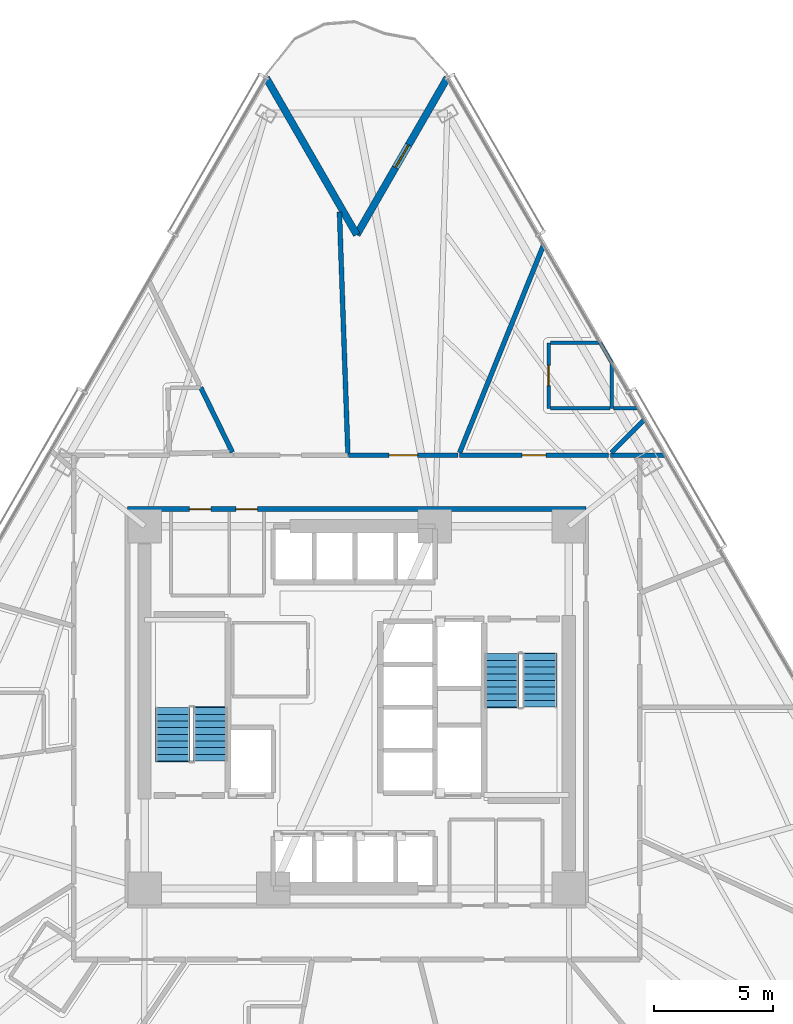
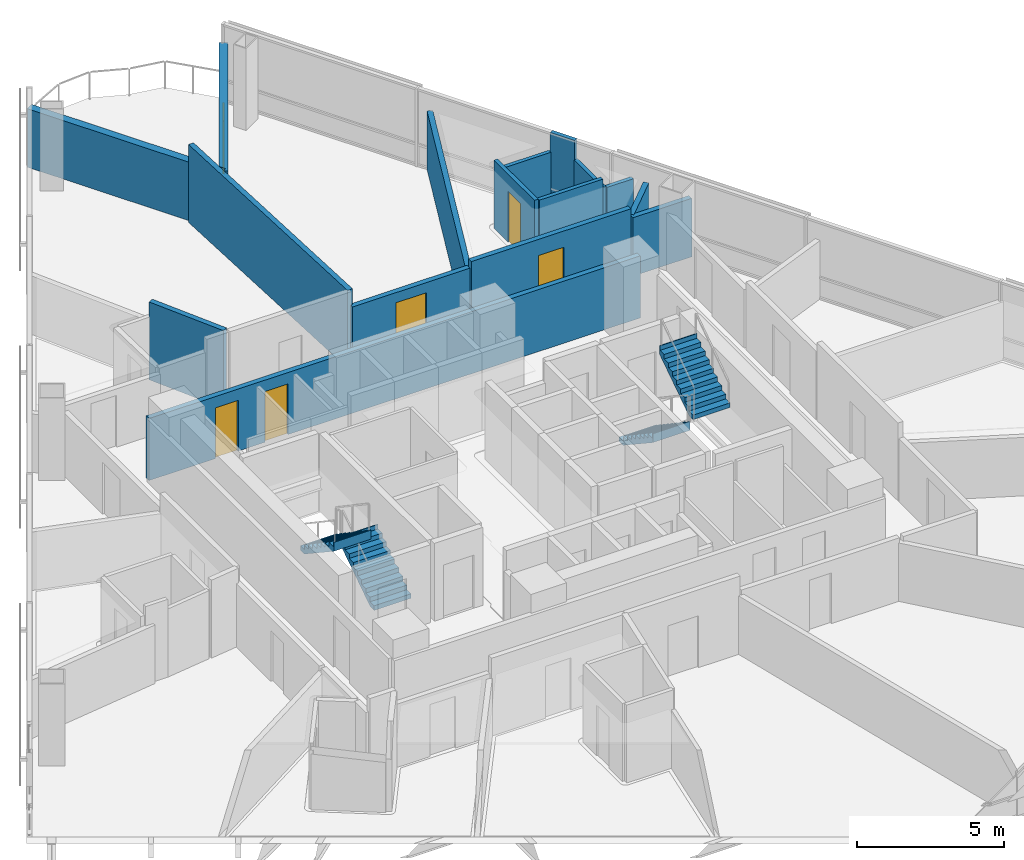
# One storey, part 10 of 16: 16 walls, 6 doors, 4 stair flights, 6 openings, 2 elements without a shape of their own.
"""IFC4 building model written with IfcOpenShell, lengths in metres."""

import ifcopenshell
import ifcopenshell.guid

model = None  # the IFC model being written
_history = None  # IfcOwnerHistory: only IFC2X3 demands one
_inside = {}  # id of a spatial element -> (the spatial element, [elements in it])
_under = {}  # id of a project, library or spatial element -> (it, [spatial elements below it])
_declared = {}  # id of a project -> (the project, [libraries it declares])
_typed = {}  # id of a type object -> (the type object, [elements of that type])
_made_of = {}  # id of a material, layer set ... -> (it, [elements and type objects made of it])


def new_model(schema):
    """Start an empty IFC model of exactly this schema.

    Asked for "IFC4X3", IfcOpenShell would pick the latest addendum, in which some entities
    have other attributes; the version numbers below select the first issue.
    IFC2X3 requires an IfcOwnerHistory on every rooted entity: one is made here for all.
    """
    global model, _history
    if schema == "IFC4X3":
        model = ifcopenshell.file(schema_version=(4, 3, 0, 0))
    else:
        model = ifcopenshell.file(schema=schema)
    _inside.clear()
    _under.clear()
    _declared.clear()
    _typed.clear()
    _made_of.clear()
    _history = None
    if model.schema == "IFC2X3":
        org = make("IfcOrganization", Name="unknown")
        user = make(
            "IfcPersonAndOrganization",
            ThePerson=make("IfcPerson", FamilyName="unknown"),
            TheOrganization=org,
        )
        app = make(
            "IfcApplication",
            ApplicationDeveloper=org,
            Version="unknown",
            ApplicationFullName="unknown",
            ApplicationIdentifier="unknown",
        )
        _history = make(
            "IfcOwnerHistory",
            OwningUser=user,
            OwningApplication=app,
            ChangeAction="ADDED",
            CreationDate=0,
        )
    return model


def make(cls, **values):
    """One entity of the class cls with the attributes given. An attribute that is None is left unset."""
    return model.create_entity(
        cls, **{name: value for name, value in values.items() if value is not None}
    )


def rooted(cls, **values):
    """An entity with a GlobalId (a new one), such as an element, a storey or a relation."""
    return make(cls, GlobalId=ifcopenshell.guid.new(), OwnerHistory=_history, **values)


def si_unit(unit_type, name, prefix=None):
    """IfcSIUnit, for example si_unit("LENGTHUNIT", "METRE", prefix="MILLI")."""
    return make("IfcSIUnit", UnitType=unit_type, Prefix=prefix, Name=name)


def assignment(units):
    """IfcUnitAssignment: the units of a project."""
    return None if units is None else make("IfcUnitAssignment", Units=units)


def point(xyz):
    """IfcCartesianPoint."""
    return None if xyz is None else make("IfcCartesianPoint", Coordinates=xyz)


def direction(xyz):
    """IfcDirection."""
    return None if xyz is None else make("IfcDirection", DirectionRatios=xyz)


def frame(location, z_axis=None, x_axis=None):
    """IfcAxis2Placement3D, a coordinate frame: its origin and axes. An axis left out is left unset."""
    return make(
        "IfcAxis2Placement3D",
        Location=point(location),
        Axis=direction(z_axis),
        RefDirection=direction(x_axis),
    )


def frame_2d(location, x_axis=None):
    """IfcAxis2Placement2D, a coordinate frame in the plane: its origin and x axis."""
    return make(
        "IfcAxis2Placement2D", Location=point(location), RefDirection=direction(x_axis)
    )


def origin():
    """The frame at (0, 0, 0) with its axes left unset."""
    return frame((0.0, 0.0, 0.0))


def place(relative_to, where):
    """IfcLocalPlacement: puts the frame where relative to a parent placement (None: the world)."""
    return make(
        "IfcLocalPlacement", PlacementRelTo=relative_to, RelativePlacement=where
    )


def context(
    kind, dimensions, precision=None, world=None, true_north=None, identifier=None
):
    """IfcGeometricRepresentationContext, for example the 3D "Model" context."""
    return make(
        "IfcGeometricRepresentationContext",
        ContextIdentifier=identifier,
        ContextType=kind,
        CoordinateSpaceDimension=dimensions,
        Precision=precision,
        WorldCoordinateSystem=world,
        TrueNorth=true_north,
    )


def subcontext(parent, identifier, kind, view, scale=None):
    """IfcGeometricRepresentationSubContext, for example "Body" below "Model"."""
    return make(
        "IfcGeometricRepresentationSubContext",
        ContextIdentifier=identifier,
        ContextType=kind,
        ParentContext=parent,
        TargetScale=scale,
        TargetView=view,
    )


def project(units=None, contexts=None):
    """IfcProject with its units and contexts."""
    return rooted(
        "IfcProject",
        Name="project",
        RepresentationContexts=contexts,
        UnitsInContext=assignment(units),
    )


def spatial(cls, under=None, at=None, **own):
    """A site, building, storey or space (cls), placed at a placement, below another one or the project."""
    s = rooted(cls, ObjectPlacement=at, **own)
    if under is not None:
        _under.setdefault(under.id(), (under, []))[1].append(s)
    return s


def polyline(points):
    """IfcPolyline through the points."""
    return make("IfcPolyline", Points=[point(p) for p in points])


def profile(cls, at=None, kind="AREA", **sizes):
    """A parametric profile (cls). Its sizes go by their IFC names, for example OverallWidth=200.0."""
    return make(cls, ProfileType=kind, Position=at, **sizes)


def rectangle(**sizes):
    """IfcRectangleProfileDef."""
    return profile("IfcRectangleProfileDef", **sizes)


def outline(outer, holes=None, kind="AREA"):
    """IfcArbitraryClosedProfileDef: a profile drawn as a closed curve; with holes, ...WithVoids."""
    if holes is None:
        return make("IfcArbitraryClosedProfileDef", ProfileType=kind, OuterCurve=outer)
    return make(
        "IfcArbitraryProfileDefWithVoids",
        ProfileType=kind,
        OuterCurve=outer,
        InnerCurves=holes,
    )


def extrude(swept, where, along, depth):
    """IfcExtrudedAreaSolid: the profile swept, set in the frame where, extruded along a direction by depth."""
    return make(
        "IfcExtrudedAreaSolid",
        SweptArea=swept,
        Position=where,
        ExtrudedDirection=direction(along),
        Depth=depth,
    )


def shape(context_of_items, identifier, shape_type, items):
    """IfcShapeRepresentation: the items that make up one representation, for example the "Body"."""
    return make(
        "IfcShapeRepresentation",
        ContextOfItems=context_of_items,
        RepresentationIdentifier=identifier,
        RepresentationType=shape_type,
        Items=items,
    )


def material(Name=None, Category=None):
    """IfcMaterial."""
    return make("IfcMaterial", Name=Name, Category=Category)


def layer(
    of_material, thickness, ventilated=None, Name=None, Category=None, Priority=None
):
    """IfcMaterialLayer: one layer of a wall or slab, of a material (None: an air gap)."""
    return make(
        "IfcMaterialLayer",
        Material=of_material,
        LayerThickness=thickness,
        IsVentilated=ventilated,
        Name=Name,
        Category=Category,
        Priority=Priority,
    )


def layer_set(layers, Name=None):
    """IfcMaterialLayerSet."""
    return make("IfcMaterialLayerSet", MaterialLayers=layers, LayerSetName=Name)


def made_of(thing, what):
    """Note that an element or type object is made of a material, layer set ...; save() writes the relation."""
    if what is not None:
        _made_of.setdefault(what.id(), (what, []))[1].append(thing)
    return thing


def type_object(cls, material=None, **own):
    """A type object (cls), such as IfcWallType, which elements share."""
    return made_of(rooted(cls, **own), material)


def element(
    cls,
    number,
    at=None,
    inside=None,
    cuts=None,
    type_object=None,
    material=None,
    context=None,
    identifier="Body",
    shape_type=None,
    held_by="IfcProductDefinitionShape",
    body=None,
    shapes=None,
    **own,
):
    """One element of the class cls, such as IfcWall. Its Tag is "e" and its number.

    at: its placement. inside: the storey or other place that contains it. cuts: it is an
    opening in that element (IfcRelVoidsElement). A single representation is given by context,
    identifier, shape_type and body (its items); several are given by shapes. held_by: the class
    of the entity that holds the representations. save() writes the other relations.
    """
    e = rooted(cls, Tag="e%d" % number, ObjectPlacement=at, **own)
    if body is not None:
        shapes = [shape(context, identifier, shape_type, body)]
    if shapes is not None:
        e.Representation = make(held_by, Representations=shapes)
    if inside is not None:
        _inside.setdefault(inside.id(), (inside, []))[1].append(e)
    if cuts is not None:
        rooted(
            "IfcRelVoidsElement", RelatingBuildingElement=cuts, RelatedOpeningElement=e
        )
    if type_object is not None:
        _typed.setdefault(type_object.id(), (type_object, []))[1].append(e)
    return made_of(e, material)


def fill(opening, filler):
    """IfcRelFillsElement: the door or window that sits in an opening."""
    return rooted(
        "IfcRelFillsElement",
        RelatingOpeningElement=opening,
        RelatedBuildingElement=filler,
    )


def aggregate(whole, parts):
    """IfcRelAggregates: a whole, such as a stair, and the parts it consists of."""
    return rooted("IfcRelAggregates", RelatingObject=whole, RelatedObjects=parts)


def save(model, path):
    """Write the relations noted so far, then the file.

    IfcRelAggregates (storeys below a building ...), IfcRelContainedInSpatialStructure (elements
    in a storey), IfcRelDefinesByType, IfcRelAssociatesMaterial and IfcRelDeclares: one each for
    every whole, place, type object, material and project.
    """
    for whole, parts in _under.values():
        aggregate(whole, parts)
    for where, things in _inside.values():
        rooted(
            "IfcRelContainedInSpatialStructure",
            RelatedElements=things,
            RelatingStructure=where,
        )
    for kind, things in _typed.values():
        rooted("IfcRelDefinesByType", RelatedObjects=things, RelatingType=kind)
    for what, things in _made_of.values():
        rooted("IfcRelAssociatesMaterial", RelatedObjects=things, RelatingMaterial=what)
    for by, libraries in _declared.values():
        rooted("IfcRelDeclares", RelatingContext=by, RelatedDefinitions=libraries)
    model.write(path)


model = new_model("IFC4")

# Units and contexts
model_context = context("Model", 3, precision=1e-05, world=origin(), true_north=direction((0.0, 1.0)))
body_context = subcontext(model_context, "Body", "Model", "MODEL_VIEW")
ifc_project = project(units=[si_unit("LENGTHUNIT", "METRE"), si_unit("AREAUNIT", "SQUARE_METRE"), si_unit("VOLUMEUNIT", "CUBIC_METRE"), si_unit("PLANEANGLEUNIT", "RADIAN"), si_unit("MASSUNIT", "GRAM", prefix="KILO")], contexts=[model_context])

# Site, building, storey
site_placement = place(None, origin())
site = spatial("IfcSite", under=ifc_project, at=site_placement, CompositionType="ELEMENT")
building_placement = place(site_placement, origin())
building = spatial("IfcBuilding", under=site, at=building_placement, Name="Tharavind Bronze Gate", CompositionType="ELEMENT")
storey_placement = place(building_placement, frame((0.0, 0.0, 42.050048828125)))
storey = spatial("IfcBuildingStorey", under=building, at=storey_placement, Name="L09", CompositionType="ELEMENT", Elevation=42.050048828125)

# Wall, opening, door
ifc_material_1 = material(Name="Concrete C40/50", Category="concrete")
ifc_layer_1 = layer(ifc_material_1, 0.300048828125)
ifc_layer_set_1 = layer_set([ifc_layer_1], Name="Concrete C40/50")
wall_type_1 = type_object("IfcWallType", Name="EXTERIOR SPANDREL WALL 300", PredefinedType="STANDARD", material=ifc_layer_set_1)
wall_1_placement = place(storey_placement, frame((3.800048828125, 26.418212890625, 0.0), z_axis=(0.0, 0.0, 1.0), x_axis=(-0.500005158081, -0.866022425744, 0.0)))
wall_1 = element("IfcWall", 1, at=wall_1_placement, inside=storey, type_object=wall_type_1, Name="L09 notch cheek wall 1A", PredefinedType="STANDARD", context=body_context, shape_type="SweptSolid", body=[
    extrude(rectangle(XDim=7.60009765625, YDim=0.300048828125, at=frame_2d((3.800048828125, 0.0))), origin(), (0.0, 0.0, 1.0), 2.419921875),
])
opening_1_placement = place(wall_1_placement, frame((3.25, 0.0, 0.0)))
opening_1 = element("IfcOpeningElement", 2, at=opening_1_placement, cuts=wall_1, Name="Opening ED04", PredefinedType="OPENING", context=body_context, shape_type="SweptSolid", body=[
    extrude(rectangle(XDim=1.10009765625, YDim=2.199951171875, at=frame_2d((0.550048828125, 1.10009765625))), frame((0.0, 0.15990234375, 0.0), z_axis=(0.0, -1.0, 0.0), x_axis=(1.0, 0.0, 0.0)), (0.0, 0.0, 1.0), 0.320048828125),
])
ifc_material_2 = material(Name="Bronze Aluminium & Toughened Glass", Category="aluminium")
door_type_1 = type_object("IfcDoorType", Name="TREE BALCONY ACCESS DOOR 1100X2200", OperationType="SINGLE_SWING_LEFT", PredefinedType="DOOR", material=ifc_material_2)
door_1_placement = place(opening_1_placement, frame((1.10009765625, 0.0, 0.0), z_axis=(0.0, 0.0, 1.0), x_axis=(-1.0, 0.0, 0.0)))
door_1 = element("IfcDoor", 3, at=door_1_placement, inside=storey, type_object=door_type_1, Name="L09 tree balcony access door", OperationType="SINGLE_SWING_LEFT", OverallHeight=2.199951171875, OverallWidth=1.10009765625, PredefinedType="DOOR", context=body_context, shape_type="SweptSolid", body=[
    extrude(rectangle(XDim=1.10009765625, YDim=2.199951171875, at=frame_2d((0.550048828125, 1.10009765625))), frame((0.0, 0.02490234375, 0.0), z_axis=(0.0, -1.0, 0.0), x_axis=(1.0, 0.0, 0.0)), (0.0, 0.0, 1.0), 0.050048828125),
])
fill(opening_1, door_1)

# Wall
wall_2_placement = place(storey_placement, frame((0.0, 19.83642578125, 0.0), z_axis=(0.0, 0.0, 1.0), x_axis=(-0.500005158081, 0.866022425744, 0.0)))
element("IfcWall", 4, at=wall_2_placement, inside=storey, type_object=wall_type_1, Name="L09 notch cheek wall 1B", PredefinedType="STANDARD", context=body_context, shape_type="SweptSolid", body=[
    extrude(rectangle(XDim=7.60009765625, YDim=0.300048828125, at=frame_2d((3.800048828125, 0.0))), origin(), (0.0, 0.0, 1.0), 2.419921875),
])

# Wall, openings, doors
ifc_material_3 = material(Name="Aerated Concrete Block", Category="concrete")
ifc_layer_2 = layer(ifc_material_3, 0.199951171875)
ifc_layer_set_2 = layer_set([ifc_layer_2], Name="Aerated Concrete Block")
wall_type_2 = type_object("IfcWallType", Name="FIRE RATED PARTITION 200", PredefinedType="PARTITIONING", material=ifc_layer_set_2)
wall_3_placement = place(storey_placement, frame((9.6201171875, 8.320068359375, 0.0), z_axis=(0.0, 0.0, 1.0), x_axis=(-1.0, 0.0, 0.0)))
wall_3 = element("IfcWall", 5, at=wall_3_placement, inside=storey, type_object=wall_type_2, Name="L09 north core corridor wall", PredefinedType="PARTITIONING", context=body_context, shape_type="SweptSolid", body=[
    extrude(rectangle(XDim=19.240234375, YDim=0.199951171875, at=frame_2d((9.6201171875, 0.0))), origin(), (0.0, 0.0, 1.0), 2.570068359375),
])
opening_2_placement = place(wall_3_placement, frame((15.7451171875, 0.0, 0.0)))
opening_2 = element("IfcOpeningElement", 6, at=opening_2_placement, cuts=wall_3, Name="Opening ID07", PredefinedType="OPENING", context=body_context, shape_type="SweptSolid", body=[
    extrude(rectangle(XDim=0.89990234375, YDim=2.10009765625, at=frame_2d((0.449951171875, 1.050048828125))), frame((0.0, 0.11009765625, 0.0), z_axis=(0.0, -1.0, 0.0), x_axis=(1.0, 0.0, 0.0)), (0.0, 0.0, 1.0), 0.219951171875),
])
opening_3_placement = place(wall_3_placement, frame((13.794921875, 0.0, 0.0)))
opening_3 = element("IfcOpeningElement", 7, at=opening_3_placement, cuts=wall_3, Name="Opening ID07", PredefinedType="OPENING", context=body_context, shape_type="SweptSolid", body=[
    extrude(rectangle(XDim=0.89990234375, YDim=2.10009765625, at=frame_2d((0.449951171875, 1.050048828125))), frame((0.0, 0.11009765625, 0.0), z_axis=(0.0, -1.0, 0.0), x_axis=(1.0, 0.0, 0.0)), (0.0, 0.0, 1.0), 0.219951171875),
])
ifc_material_4 = material(Name="Galvanised Fire Steel", Category="steel")
door_type_2 = type_object("IfcDoorType", Name="PLANT AND RISER FIRE DOOR 900X2100", OperationType="SINGLE_SWING_LEFT", PredefinedType="DOOR", material=ifc_material_4)
door_2_placement = place(opening_2_placement, origin())
door_2 = element("IfcDoor", 8, at=door_2_placement, inside=storey, type_object=door_type_2, Name="L09 Electrical Metering Room fire door", OperationType="SINGLE_SWING_LEFT", OverallHeight=2.10009765625, OverallWidth=0.89990234375, PredefinedType="DOOR", context=body_context, shape_type="SweptSolid", body=[
    extrude(rectangle(XDim=0.89990234375, YDim=2.10009765625, at=frame_2d((0.449951171875, 1.050048828125))), frame((0.0, 0.02490234375, 0.0), z_axis=(0.0, -1.0, 0.0), x_axis=(1.0, 0.0, 0.0)), (0.0, 0.0, 1.0), 0.050048828125),
])
fill(opening_2, door_2)
door_3_placement = place(opening_3_placement, origin())
door_3 = element("IfcDoor", 9, at=door_3_placement, inside=storey, type_object=door_type_2, Name="L09 Linen Cupboard fire door", OperationType="SINGLE_SWING_LEFT", OverallHeight=2.10009765625, OverallWidth=0.89990234375, PredefinedType="DOOR", context=body_context, shape_type="SweptSolid", body=[
    extrude(rectangle(XDim=0.89990234375, YDim=2.10009765625, at=frame_2d((0.449951171875, 1.050048828125))), frame((0.0, 0.02490234375, 0.0), z_axis=(0.0, -1.0, 0.0), x_axis=(1.0, 0.0, 0.0)), (0.0, 0.0, 1.0), 0.050048828125),
])
fill(opening_3, door_3)

# Walls
wall_4_placement = place(storey_placement, frame((-6.548583984375, 13.426513671875, 0.0), z_axis=(0.0, 0.0, 1.0), x_axis=(0.438371306131, -0.898793968583, 0.0)))
element("IfcWall", 10, at=wall_4_placement, inside=storey, type_object=wall_type_2, Name="L09 En-Suite Bathroom partition", PredefinedType="PARTITIONING", context=body_context, shape_type="SweptSolid", body=[
    extrude(rectangle(XDim=3.03369140625, YDim=0.199951171875, at=frame_2d((1.516845703125, 0.0))), origin(), (0.0, 0.0, 1.0), 3.224853515625),
])
wall_5_placement = place(storey_placement, frame((12.944091796875, 10.580078125, 0.0), z_axis=(0.0, 0.0, 1.0), x_axis=(-1.0, 0.0, 0.0)))
element("IfcWall", 11, at=wall_5_placement, inside=storey, type_object=wall_type_2, Name="L09 Hotel Guest Lounge partition", PredefinedType="PARTITIONING", context=body_context, shape_type="SweptSolid", body=[
    extrude(rectangle(XDim=2.3037109375, YDim=0.199951171875, at=frame_2d((1.15185546875, 0.0))), origin(), (0.0, 0.0, 1.0), 2.419921875),
])
wall_6_placement = place(storey_placement, frame((10.68505859375, 10.68505859375, 0.0), z_axis=(0.0, 0.0, 1.0), x_axis=(0.707106781187, 0.707106781187, 0.0)))
element("IfcWall", 12, at=wall_6_placement, inside=storey, type_object=wall_type_2, Name="L09 Hotel Guest Lounge partition", PredefinedType="PARTITIONING", context=body_context, shape_type="SweptSolid", body=[
    extrude(rectangle(XDim=1.97119140625, YDim=0.199951171875, at=frame_2d((0.985595703125, 0.0))), origin(), (0.0, 0.0, 1.0), 2.419921875),
])

# Wall, opening, door
wall_7_placement = place(storey_placement, frame((10.569580078125, 10.580078125, 0.0), z_axis=(0.0, 0.0, 1.0), x_axis=(-1.0, 0.0, 0.0)))
wall_7 = element("IfcWall", 13, at=wall_7_placement, inside=storey, type_object=wall_type_2, Name="L09 Hotel Deluxe Room partition", PredefinedType="PARTITIONING", context=body_context, shape_type="SweptSolid", body=[
    extrude(rectangle(XDim=6.2578125, YDim=0.199951171875, at=frame_2d((3.12890625, 0.0))), origin(), (0.0, 0.0, 1.0), 2.820068359375),
])
opening_4_placement = place(wall_7_placement, frame((2.62890625, 0.0, 0.0)))
opening_4 = element("IfcOpeningElement", 14, at=opening_4_placement, cuts=wall_7, Name="Opening ID03", PredefinedType="OPENING", context=body_context, shape_type="SweptSolid", body=[
    extrude(rectangle(XDim=1.0, YDim=2.14990234375, at=frame_2d((0.5, 1.074951171875))), frame((0.0, 0.11009765625, 0.0), z_axis=(0.0, -1.0, 0.0), x_axis=(1.0, 0.0, 0.0)), (0.0, 0.0, 1.0), 0.219951171875),
])
ifc_material_5 = material(Name="Solid Timber Veneer", Category="wood")
door_type_3 = type_object("IfcDoorType", Name="HOTEL SUITE ENTRANCE DOOR 1000X2150", OperationType="SINGLE_SWING_LEFT", PredefinedType="DOOR", material=ifc_material_5)
door_4_placement = place(opening_4_placement, origin())
door_4 = element("IfcDoor", 15, at=door_4_placement, inside=storey, type_object=door_type_3, Name="L09 Hotel Deluxe Room door", OperationType="SINGLE_SWING_LEFT", OverallHeight=2.14990234375, OverallWidth=1.0, PredefinedType="DOOR", context=body_context, shape_type="SweptSolid", body=[
    extrude(rectangle(XDim=1.0, YDim=2.14990234375, at=frame_2d((0.5, 1.074951171875))), frame((0.0, 0.02490234375, 0.0), z_axis=(0.0, -1.0, 0.0), x_axis=(1.0, 0.0, 0.0)), (0.0, 0.0, 1.0), 0.050048828125),
])
fill(opening_4, door_4)

# Wall
wall_8_placement = place(storey_placement, frame((4.31689453125, 10.68505859375, 0.0), z_axis=(0.0, 0.0, 1.0), x_axis=(0.374616543298, 0.927179834492, 0.0)))
element("IfcWall", 16, at=wall_8_placement, inside=storey, type_object=wall_type_2, Name="L09 Hotel Deluxe Room partition", PredefinedType="PARTITIONING", context=body_context, shape_type="SweptSolid", body=[
    extrude(rectangle(XDim=9.41455078125, YDim=0.199951171875, at=frame_2d((4.707275390625, 0.0))), origin(), (0.0, 0.0, 1.0), 2.419921875),
])

# Wall, opening, door
wall_9_placement = place(storey_placement, frame((4.2578125, 10.580078125, 0.0), z_axis=(0.0, 0.0, 1.0), x_axis=(-1.0, 0.0, 0.0)))
wall_9 = element("IfcWall", 17, at=wall_9_placement, inside=storey, type_object=wall_type_2, Name="L09 Hotel Guest Lounge partition", PredefinedType="PARTITIONING", context=body_context, shape_type="SweptSolid", body=[
    extrude(rectangle(XDim=4.60302734375, YDim=0.199951171875, at=frame_2d((2.301513671875, 0.0))), origin(), (0.0, 0.0, 1.0), 2.570068359375),
])
opening_5_placement = place(wall_9_placement, frame((1.700927734375, 0.0, 0.0)))
opening_5 = element("IfcOpeningElement", 18, at=opening_5_placement, cuts=wall_9, Name="Opening ID05", PredefinedType="OPENING", context=body_context, shape_type="SweptSolid", body=[
    extrude(rectangle(XDim=1.199951171875, YDim=2.14990234375, at=frame_2d((0.60009765625, 1.074951171875))), frame((0.0, 0.11009765625, 0.0), z_axis=(0.0, -1.0, 0.0), x_axis=(1.0, 0.0, 0.0)), (0.0, 0.0, 1.0), 0.219951171875),
])
ifc_material_6 = material(Name="Acoustic Laminated Glass", Category="glass")
door_type_4 = type_object("IfcDoorType", Name="MEETING ROOM GLAZED DOOR 1200X2150", OperationType="SINGLE_SWING_LEFT", PredefinedType="DOOR", material=ifc_material_6)
door_5_placement = place(opening_5_placement, origin())
door_5 = element("IfcDoor", 19, at=door_5_placement, inside=storey, type_object=door_type_4, Name="L09 Hotel Guest Lounge door", OperationType="SINGLE_SWING_LEFT", OverallHeight=2.14990234375, OverallWidth=1.199951171875, PredefinedType="DOOR", context=body_context, shape_type="SweptSolid", body=[
    extrude(rectangle(XDim=1.199951171875, YDim=2.14990234375, at=frame_2d((0.60009765625, 1.074951171875))), frame((0.0, 0.02490234375, 0.0), z_axis=(0.0, -1.0, 0.0), x_axis=(1.0, 0.0, 0.0)), (0.0, 0.0, 1.0), 0.050048828125),
])
fill(opening_5, door_5)

# Wall
wall_10_placement = place(storey_placement, frame((-0.370361328125, 10.60400390625, 0.0), z_axis=(0.0, 0.0, 1.0), x_axis=(-0.034898982379, 0.99939084498, 0.0)))
element("IfcWall", 20, at=wall_10_placement, inside=storey, type_object=wall_type_2, Name="L09 Hotel Guest Lounge partition", PredefinedType="PARTITIONING", context=body_context, shape_type="SweptSolid", body=[
    extrude(rectangle(XDim=10.185546875, YDim=0.199951171875, at=frame_2d((5.0927734375, 0.0))), origin(), (0.0, 0.0, 1.0), 3.224853515625),
])

# Wall, opening, door
ifc_material_7 = material(Name="Twin Stud Acoustic Gypsum", Category="gypsum")
ifc_layer_3 = layer(ifc_material_7, 0.14990234375)
ifc_layer_set_3 = layer_set([ifc_layer_3], Name="Twin Stud Acoustic Gypsum")
wall_type_3 = type_object("IfcWallType", Name="INTERIOR PARTITION WALL 150", PredefinedType="PARTITIONING", material=ifc_layer_set_3)
wall_11_placement = place(storey_placement, frame((8.050048828125, 12.550048828125, 0.0), z_axis=(0.0, 0.0, 1.0), x_axis=(0.0, 1.0, 0.0)))
wall_11 = element("IfcWall", 21, at=wall_11_placement, inside=storey, type_object=wall_type_3, Name="L09 En-Suite Bathroom partition", PredefinedType="PARTITIONING", context=body_context, shape_type="SweptSolid", body=[
    extrude(rectangle(XDim=2.75, YDim=0.14990234375, at=frame_2d((1.375, 0.0))), origin(), (0.0, 0.0, 1.0), 2.820068359375),
])
opening_6_placement = place(wall_11_placement, frame((0.949951171875, 0.0, 0.0)))
opening_6 = element("IfcOpeningElement", 22, at=opening_6_placement, cuts=wall_11, Name="Opening ID06", PredefinedType="OPENING", context=body_context, shape_type="SweptSolid", body=[
    extrude(rectangle(XDim=0.85009765625, YDim=2.10009765625, at=frame_2d((0.425048828125, 1.050048828125))), frame((0.0, 0.084951171875, 0.0), z_axis=(0.0, -1.0, 0.0), x_axis=(1.0, 0.0, 0.0)), (0.0, 0.0, 1.0), 0.16990234375),
])
ifc_material_8 = material(Name="Moisture-Resistant Timber", Category="wood")
door_type_5 = type_object("IfcDoorType", Name="BATHROOM PRIVACY DOOR 850X2100", OperationType="SINGLE_SWING_RIGHT", PredefinedType="DOOR", material=ifc_material_8)
door_6_placement = place(opening_6_placement, origin())
door_6 = element("IfcDoor", 23, at=door_6_placement, inside=storey, type_object=door_type_5, Name="L09 En-Suite Bathroom door", OperationType="SINGLE_SWING_RIGHT", OverallHeight=2.10009765625, OverallWidth=0.85009765625, PredefinedType="DOOR", context=body_context, shape_type="SweptSolid", body=[
    extrude(rectangle(XDim=0.85009765625, YDim=2.10009765625, at=frame_2d((0.425048828125, 1.050048828125))), frame((0.0, 0.02490234375, 0.0), z_axis=(0.0, -1.0, 0.0), x_axis=(1.0, 0.0, 0.0)), (0.0, 0.0, 1.0), 0.050048828125),
])
fill(opening_6, door_6)

# Walls
wall_12_placement = place(storey_placement, frame((8.1298828125, 15.300048828125, 0.0), z_axis=(0.0, 0.0, 1.0), x_axis=(1.0, 0.0, 0.0)))
element("IfcWall", 24, at=wall_12_placement, inside=storey, type_object=wall_type_3, Name="L09 En-Suite Bathroom partition", PredefinedType="PARTITIONING", context=body_context, shape_type="SweptSolid", body=[
    extrude(rectangle(XDim=2.089111328125, YDim=0.14990234375, at=frame_2d((1.04443359375, 0.0))), origin(), (0.0, 0.0, 1.0), 2.419921875),
])
wall_13_placement = place(storey_placement, frame((10.218994140625, 15.300048828125, 0.0), z_axis=(0.0, 0.0, 1.0), x_axis=(0.500015396624, -0.866016514357, 0.0)))
element("IfcWall", 25, at=wall_13_placement, inside=storey, type_object=wall_type_3, Name="L09 En-Suite Bathroom partition", PredefinedType="PARTITIONING", context=body_context, shape_type="SweptSolid", body=[
    extrude(rectangle(XDim=0.9619140625, YDim=0.14990234375, at=frame_2d((0.48095703125, 0.0))), origin(), (0.0, 0.0, 1.0), 3.224853515625),
])
wall_14_placement = place(storey_placement, frame((10.699951171875, 14.467041015625, 0.0), z_axis=(0.0, 0.0, 1.0), x_axis=(0.0, -1.0, 0.0)))
element("IfcWall", 26, at=wall_14_placement, inside=storey, type_object=wall_type_3, Name="L09 En-Suite Bathroom partition", PredefinedType="PARTITIONING", context=body_context, shape_type="SweptSolid", body=[
    extrude(rectangle(XDim=1.9169921875, YDim=0.14990234375, at=frame_2d((0.95849609375, 0.0))), origin(), (0.0, 0.0, 1.0), 2.419921875),
])
wall_15_placement = place(storey_placement, frame((11.806884765625, 12.550048828125, 0.0), z_axis=(0.0, 0.0, 1.0), x_axis=(-1.0, 0.0, 0.0)))
element("IfcWall", 27, at=wall_15_placement, inside=storey, type_object=wall_type_3, Name="L09 En-Suite Bathroom partition", PredefinedType="PARTITIONING", context=body_context, shape_type="SweptSolid", body=[
    extrude(rectangle(XDim=1.02685546875, YDim=0.14990234375, at=frame_2d((0.513427734375, 0.0))), origin(), (0.0, 0.0, 1.0), 2.419921875),
])
wall_16_placement = place(storey_placement, frame((10.6201171875, 12.550048828125, 0.0), z_axis=(0.0, 0.0, 1.0), x_axis=(-1.0, 0.0, 0.0)))
element("IfcWall", 28, at=wall_16_placement, inside=storey, type_object=wall_type_3, Name="L09 En-Suite Bathroom partition", PredefinedType="PARTITIONING", context=body_context, shape_type="SweptSolid", body=[
    extrude(rectangle(XDim=2.490234375, YDim=0.14990234375, at=frame_2d((1.2451171875, 0.0))), origin(), (0.0, 0.0, 1.0), 2.820068359375),
])

# Stair, stair flights
stair_type = type_object("IfcStairType", Name="CORE HALF TURN STAIR 1450", PredefinedType="HALF_TURN_STAIR", material=ifc_material_1)
stair_1_placement = place(storey_placement, origin())
stair_1 = element("IfcStair", 29, at=stair_1_placement, inside=storey, type_object=stair_type, Name="L09 Protected Exit Stair ST1", PredefinedType="HALF_TURN_STAIR")
stair_flight_type = type_object("IfcStairFlightType", Name="CORE STAIR FLIGHT 1450", PredefinedType="STRAIGHT", material=ifc_material_1)
stair_flight_1_placement = place(storey_placement, frame((-6.125, -2.25, 0.0), z_axis=(0.0, 0.0, 1.0), x_axis=(0.0, 1.0, 0.0)))
stair_flight_1 = element("IfcStairFlight", 30, at=stair_flight_1_placement, type_object=stair_flight_type, Name="ST1 flight 1", NumberOfRisers=9, NumberOfTreads=8, PredefinedType="STRAIGHT", RiserHeight=0.188888889, TreadLength=0.28, context=body_context, shape_type="SweptSolid", body=[
    extrude(outline(polyline([(0.0, 0.0), (0.0, 0.18896484375), (0.280029296875, 0.18896484375), (0.280029296875, 0.377685546875), (0.56005859375, 0.377685546875), (0.56005859375, 0.566650390625), (0.840087890625, 0.566650390625), (0.840087890625, 0.755615234375), (1.1201171875, 0.755615234375), (1.1201171875, 0.9443359375), (1.39990234375, 0.9443359375), (1.39990234375, 1.13330078125), (1.679931640625, 1.13330078125), (1.679931640625, 1.322265625), (1.9599609375, 1.322265625), (1.9599609375, 1.51123046875), (2.239990234375, 1.51123046875), (2.239990234375, 1.699951171875), (2.27587890625, 1.699951171875), (2.27587890625, 1.330322265625), (0.26806640625, 0.0), (0.0, 0.0)])), frame((0.0, 0.72509765625, 0.0), z_axis=(0.0, -1.0, 0.0), x_axis=(1.0, 0.0, 0.0)), (0.0, 0.0, 1.0), 1.449951171875),
])
stair_flight_2_placement = place(storey_placement, frame((-7.72509765625, -0.010009765625, 1.699951171875), z_axis=(0.0, 0.0, 1.0), x_axis=(0.0, -1.0, 0.0)))
stair_flight_2 = element("IfcStairFlight", 31, at=stair_flight_2_placement, type_object=stair_flight_type, Name="ST1 flight 2", NumberOfRisers=9, NumberOfTreads=8, PredefinedType="STRAIGHT", RiserHeight=0.188888889, TreadLength=0.28, context=body_context, shape_type="SweptSolid", body=[
    extrude(outline(polyline([(0.0, 0.0), (0.0, 0.18896484375), (0.280029296875, 0.18896484375), (0.280029296875, 0.377685546875), (0.56005859375, 0.377685546875), (0.56005859375, 0.566650390625), (0.840087890625, 0.566650390625), (0.840087890625, 0.755615234375), (1.1201171875, 0.755615234375), (1.1201171875, 0.9443359375), (1.39990234375, 0.9443359375), (1.39990234375, 1.13330078125), (1.679931640625, 1.13330078125), (1.679931640625, 1.322265625), (1.9599609375, 1.322265625), (1.9599609375, 1.51123046875), (2.239990234375, 1.51123046875), (2.239990234375, 1.699951171875), (2.27587890625, 1.699951171875), (2.27587890625, 1.330322265625), (0.26806640625, 0.0), (0.0, 0.0)])), frame((0.0, 0.72509765625, 0.0), z_axis=(0.0, -1.0, 0.0), x_axis=(1.0, 0.0, 0.0)), (0.0, 0.0, 1.0), 1.449951171875),
])
aggregate(stair_1, [stair_flight_1, stair_flight_2])

stair_2_placement = place(storey_placement, origin())
stair_2 = element("IfcStair", 32, at=stair_2_placement, inside=storey, type_object=stair_type, Name="L09 Protected Exit Stair ST2", PredefinedType="HALF_TURN_STAIR")
stair_flight_3_placement = place(storey_placement, frame((6.074951171875, 2.25, 0.0), z_axis=(0.0, 0.0, 1.0), x_axis=(0.0, -1.0, 0.0)))
stair_flight_3 = element("IfcStairFlight", 33, at=stair_flight_3_placement, type_object=stair_flight_type, Name="ST2 flight 1", NumberOfRisers=9, NumberOfTreads=8, PredefinedType="STRAIGHT", RiserHeight=0.188888889, TreadLength=0.28, context=body_context, shape_type="SweptSolid", body=[
    extrude(outline(polyline([(0.0, 0.0), (0.0, 0.18896484375), (0.280029296875, 0.18896484375), (0.280029296875, 0.377685546875), (0.56005859375, 0.377685546875), (0.56005859375, 0.566650390625), (0.840087890625, 0.566650390625), (0.840087890625, 0.755615234375), (1.1201171875, 0.755615234375), (1.1201171875, 0.9443359375), (1.39990234375, 0.9443359375), (1.39990234375, 1.13330078125), (1.679931640625, 1.13330078125), (1.679931640625, 1.322265625), (1.9599609375, 1.322265625), (1.9599609375, 1.51123046875), (2.239990234375, 1.51123046875), (2.239990234375, 1.699951171875), (2.27587890625, 1.699951171875), (2.27587890625, 1.330322265625), (0.26806640625, 0.0), (0.0, 0.0)])), frame((0.0, 0.72509765625, 0.0), z_axis=(0.0, -1.0, 0.0), x_axis=(1.0, 0.0, 0.0)), (0.0, 0.0, 1.0), 1.449951171875),
])
stair_flight_4_placement = place(storey_placement, frame((7.675048828125, 0.010009765625, 1.699951171875), z_axis=(0.0, 0.0, 1.0), x_axis=(0.0, 1.0, 0.0)))
stair_flight_4 = element("IfcStairFlight", 34, at=stair_flight_4_placement, type_object=stair_flight_type, Name="ST2 flight 2", NumberOfRisers=9, NumberOfTreads=8, PredefinedType="STRAIGHT", RiserHeight=0.188888889, TreadLength=0.28, context=body_context, shape_type="SweptSolid", body=[
    extrude(outline(polyline([(0.0, 0.0), (0.0, 0.18896484375), (0.280029296875, 0.18896484375), (0.280029296875, 0.377685546875), (0.56005859375, 0.377685546875), (0.56005859375, 0.566650390625), (0.840087890625, 0.566650390625), (0.840087890625, 0.755615234375), (1.1201171875, 0.755615234375), (1.1201171875, 0.9443359375), (1.39990234375, 0.9443359375), (1.39990234375, 1.13330078125), (1.679931640625, 1.13330078125), (1.679931640625, 1.322265625), (1.9599609375, 1.322265625), (1.9599609375, 1.51123046875), (2.239990234375, 1.51123046875), (2.239990234375, 1.699951171875), (2.27587890625, 1.699951171875), (2.27587890625, 1.330322265625), (0.26806640625, 0.0), (0.0, 0.0)])), frame((0.0, 0.72509765625, 0.0), z_axis=(0.0, -1.0, 0.0), x_axis=(1.0, 0.0, 0.0)), (0.0, 0.0, 1.0), 1.449951171875),
])
aggregate(stair_2, [stair_flight_3, stair_flight_4])

save(model, "model.ifc")
